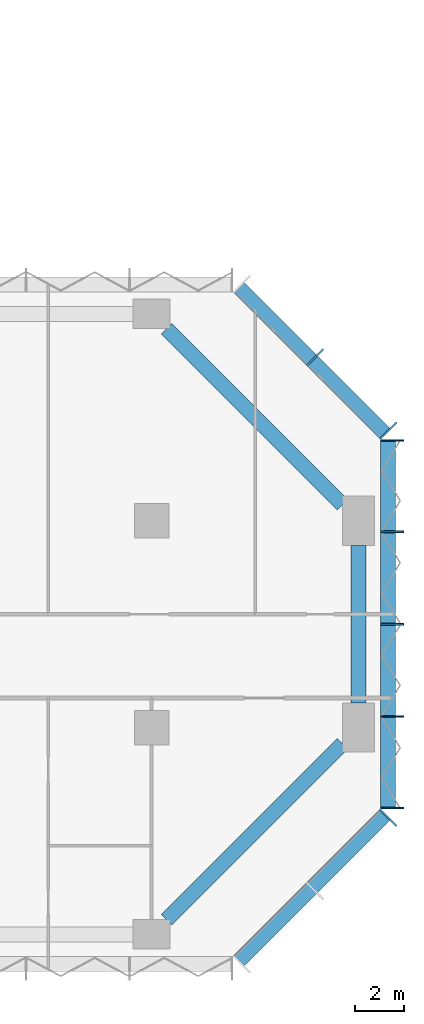
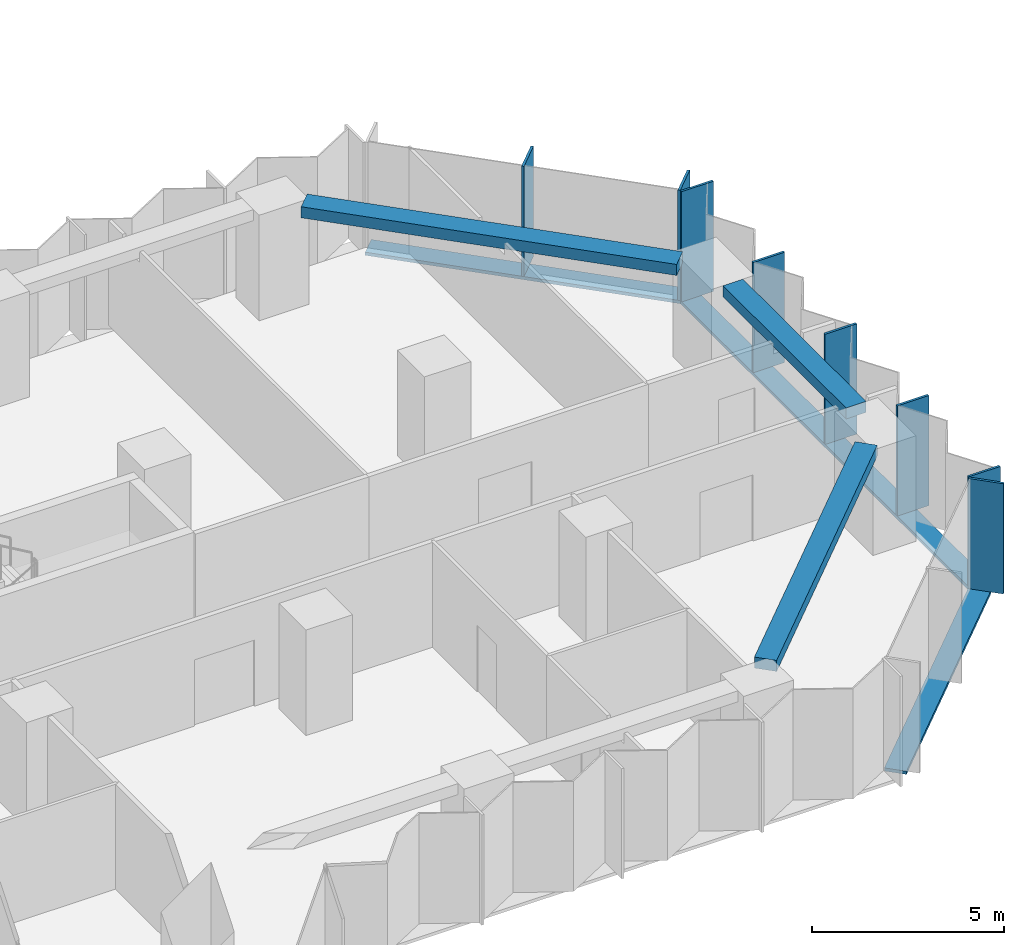
# One storey, part 4 of 15: 11 members, 3 beams, 3 elements without a shape of their own.
"""IFC4 building model written with IfcOpenShell, lengths in metres."""

from ifc_helpers import new_model, si_unit, direction, frame, origin, origin_2d, place, context, subcontext, project, spatial, rectangle, extrude, material, material_profile, profile_set, type_object, element, aggregate, save


model = new_model("IFC4")

# Units and contexts
model_context = context("Model", 3, precision=1e-05, world=origin(), true_north=direction((0.0, 1.0)))
body_context = subcontext(model_context, "Body", "Model", "MODEL_VIEW")
ifc_project = project(units=[si_unit("LENGTHUNIT", "METRE"), si_unit("AREAUNIT", "SQUARE_METRE"), si_unit("VOLUMEUNIT", "CUBIC_METRE"), si_unit("PLANEANGLEUNIT", "RADIAN"), si_unit("MASSUNIT", "GRAM", prefix="KILO")], contexts=[model_context])

# Site, building, storey
site_placement = place(None, origin())
site = spatial("IfcSite", under=ifc_project, at=site_placement, CompositionType="ELEMENT")
building_placement = place(site_placement, origin())
building = spatial("IfcBuilding", under=site, at=building_placement, Name="Brevane Broadcast Tower", CompositionType="ELEMENT")
storey_placement = place(building_placement, frame((0.0, 0.0, 50.89990234375)))
storey = spatial("IfcBuildingStorey", under=building, at=storey_placement, Name="L10", CompositionType="ELEMENT", Elevation=50.89990234375)

# Curtain wall, member
ifc_material_1 = material(Name="Aluminium 6063-T6 bronze anodised", Category="aluminium")
curtain_wall_type = type_object("IfcCurtainWallType", Name="CW-1 curtain wall", PredefinedType="NOTDEFINED", material=ifc_material_1)
curtain_wall_1_placement = place(storey_placement, origin())
curtain_wall_1 = element("IfcCurtainWall", 1, at=curtain_wall_1_placement, inside=storey, type_object=curtain_wall_type, Name="CW-1 typical tilted unit L10 south-east chamfer", PredefinedType="NOTDEFINED")
ifc_material_profile_1 = material_profile(ifc_material_1, rectangle(XDim=0.949951171875, YDim=0.070068359375, at=origin_2d()), Name="RECT 70x950")
ifc_profile_set_1 = profile_set([ifc_material_profile_1], Name="Aluminium 6063-T6 bronze anodised")
member_type_1 = type_object("IfcMemberType", Name="CW-1 mullion 70x950", PredefinedType="MULLION", material=ifc_profile_set_1)
member_1_placement = place(storey_placement, frame((68.4111328125, 4.7392578125, -0.14990234375), z_axis=(0.0, 0.0, 1.0), x_axis=(-0.707106781187, 0.707106781187, 0.0)))
member_1 = element("IfcMember", 2, at=member_1_placement, type_object=member_type_1, Name="CW-1 mullion", PredefinedType="MULLION", context=body_context, shape_type="SweptSolid", body=[
    extrude(rectangle(XDim=0.949951171875, YDim=0.070068359375, at=origin_2d()), origin(), (0.0, 0.0, 1.0), 3.5),
])

# Curtain wall, members
curtain_wall_2_placement = place(storey_placement, origin())
curtain_wall_2 = element("IfcCurtainWall", 3, at=curtain_wall_2_placement, inside=storey, type_object=curtain_wall_type, Name="CW-1 typical tilted unit L10 east end", PredefinedType="NOTDEFINED")
member_2_placement = place(storey_placement, frame((68.574951171875, 5.135009765625, -0.14990234375), z_axis=(0.0, 0.0, 1.0), x_axis=(-1.0, 0.0, 0.0)))
member_2 = element("IfcMember", 4, at=member_2_placement, type_object=member_type_1, Name="CW-1 mullion", PredefinedType="MULLION", context=body_context, shape_type="SweptSolid", body=[
    extrude(rectangle(XDim=0.949951171875, YDim=0.070068359375, at=origin_2d()), origin(), (0.0, 0.0, 1.0), 3.5),
])
member_3_placement = place(storey_placement, frame((68.574951171875, 8.85009765625, -0.14990234375), z_axis=(0.0, 0.0, 1.0), x_axis=(-1.0, 0.0, 0.0)))
member_3 = element("IfcMember", 5, at=member_3_placement, type_object=member_type_1, Name="CW-1 mullion", PredefinedType="MULLION", context=body_context, shape_type="SweptSolid", body=[
    extrude(rectangle(XDim=0.949951171875, YDim=0.070068359375, at=origin_2d()), origin(), (0.0, 0.0, 1.0), 3.5),
])
member_4_placement = place(storey_placement, frame((68.574951171875, 12.60009765625, -0.14990234375), z_axis=(0.0, 0.0, 1.0), x_axis=(-1.0, 0.0, 0.0)))
member_4 = element("IfcMember", 6, at=member_4_placement, type_object=member_type_1, Name="CW-1 mullion", PredefinedType="MULLION", context=body_context, shape_type="SweptSolid", body=[
    extrude(rectangle(XDim=0.949951171875, YDim=0.070068359375, at=origin_2d()), origin(), (0.0, 0.0, 1.0), 3.5),
])
member_5_placement = place(storey_placement, frame((68.574951171875, 16.35009765625, -0.14990234375), z_axis=(0.0, 0.0, 1.0), x_axis=(-1.0, 0.0, 0.0)))
member_5 = element("IfcMember", 7, at=member_5_placement, type_object=member_type_1, Name="CW-1 mullion", PredefinedType="MULLION", context=body_context, shape_type="SweptSolid", body=[
    extrude(rectangle(XDim=0.949951171875, YDim=0.070068359375, at=origin_2d()), origin(), (0.0, 0.0, 1.0), 3.5),
])
member_6_placement = place(storey_placement, frame((68.574951171875, 20.06494140625, -0.14990234375), z_axis=(0.0, 0.0, 1.0), x_axis=(-1.0, 0.0, 0.0)))
member_6 = element("IfcMember", 8, at=member_6_placement, type_object=member_type_1, Name="CW-1 mullion", PredefinedType="MULLION", context=body_context, shape_type="SweptSolid", body=[
    extrude(rectangle(XDim=0.949951171875, YDim=0.070068359375, at=origin_2d()), origin(), (0.0, 0.0, 1.0), 3.5),
])

curtain_wall_3_placement = place(storey_placement, origin())
curtain_wall_3 = element("IfcCurtainWall", 9, at=curtain_wall_3_placement, inside=storey, type_object=curtain_wall_type, Name="CW-1 typical tilted unit L10 north-east chamfer", PredefinedType="NOTDEFINED")
member_7_placement = place(storey_placement, frame((68.4111328125, 20.460693359375, -0.14990234375), z_axis=(0.0, 0.0, 1.0), x_axis=(-0.707106781187, -0.707106781187, 0.0)))
member_7 = element("IfcMember", 10, at=member_7_placement, type_object=member_type_1, Name="CW-1 mullion", PredefinedType="MULLION", context=body_context, shape_type="SweptSolid", body=[
    extrude(rectangle(XDim=0.949951171875, YDim=0.070068359375, at=origin_2d()), origin(), (0.0, 0.0, 1.0), 3.5),
])
member_8_placement = place(storey_placement, frame((65.435791015625, 23.435791015625, -0.14990234375), z_axis=(0.0, 0.0, 1.0), x_axis=(-0.707106781187, -0.707106781187, 0.0)))
member_8 = element("IfcMember", 11, at=member_8_placement, type_object=member_type_1, Name="CW-1 mullion", PredefinedType="MULLION", context=body_context, shape_type="SweptSolid", body=[
    extrude(rectangle(XDim=0.949951171875, YDim=0.070068359375, at=origin_2d()), origin(), (0.0, 0.0, 1.0), 3.5),
])

# Member
ifc_material_profile_2 = material_profile(ifc_material_1, rectangle(XDim=0.60009765625, YDim=0.10009765625, at=origin_2d()), Name="RECT 100x600")
ifc_profile_set_2 = profile_set([ifc_material_profile_2], Name="Aluminium 6063-T6 bronze anodised")
member_type_2 = type_object("IfcMemberType", Name="CW-1 transom 100x600", PredefinedType="USERDEFINED", material=ifc_profile_set_2)
member_9_placement = place(storey_placement, frame((62.31201171875, -1.112060546875, -0.199951171875), z_axis=(0.707106781187, 0.707106781187, 0.0), x_axis=(-0.707106781187, 0.707106781187, 0.0)))
member_9 = element("IfcMember", 12, at=member_9_placement, type_object=member_type_2, Name="CW-1 transom", ObjectType="TRANSOM", PredefinedType="USERDEFINED", context=body_context, shape_type="SweptSolid", body=[
    extrude(rectangle(XDim=0.60009765625, YDim=0.10009765625, at=origin_2d()), origin(), (0.0, 0.0, 1.0), 8.4853515625),
])

aggregate(curtain_wall_1, [member_1, member_9])

member_10_placement = place(storey_placement, frame((68.39990234375, 5.10009765625, -0.199951171875), z_axis=(0.0, 1.0, 0.0), x_axis=(-1.0, 0.0, 0.0)))
member_10 = element("IfcMember", 13, at=member_10_placement, type_object=member_type_2, Name="CW-1 transom", ObjectType="TRANSOM", PredefinedType="USERDEFINED", context=body_context, shape_type="SweptSolid", body=[
    extrude(rectangle(XDim=0.60009765625, YDim=0.10009765625, at=origin_2d()), origin(), (0.0, 0.0, 1.0), 15.0),
])

aggregate(curtain_wall_2, [member_2, member_3, member_4, member_5, member_6, member_10])

member_11_placement = place(storey_placement, frame((68.31201171875, 20.31201171875, -0.199951171875), z_axis=(-0.707106781187, 0.707106781187, 0.0), x_axis=(-0.707106781187, -0.707106781187, 0.0)))
member_11 = element("IfcMember", 14, at=member_11_placement, type_object=member_type_2, Name="CW-1 transom", ObjectType="TRANSOM", PredefinedType="USERDEFINED", context=body_context, shape_type="SweptSolid", body=[
    extrude(rectangle(XDim=0.60009765625, YDim=0.10009765625, at=origin_2d()), origin(), (0.0, 0.0, 1.0), 8.4853515625),
])

aggregate(curtain_wall_3, [member_7, member_8, member_11])

# Beams
ifc_material_2 = material(Name="Concrete C40/50", Category="concrete")
ifc_material_profile_3 = material_profile(ifc_material_2, rectangle(XDim=0.60009765625, YDim=0.35009765625, at=origin_2d()), Name="RC 600x350")
ifc_profile_set_3 = profile_set([ifc_material_profile_3], Name="Concrete C40/50")
beam_type = type_object("IfcBeamType", Name="RC SPANDREL BEAM 600x350 C40/50", PredefinedType="SPANDREL", material=ifc_profile_set_3)
beam_1_placement = place(storey_placement, frame((59.39990234375, 0.60009765625, 3.175048828125), z_axis=(0.707118853314, 0.707094708853, 0.0), x_axis=(-0.707094708853, 0.707118853314, 0.0)))
element("IfcBeam", 15, at=beam_1_placement, inside=storey, type_object=beam_type, Name="EB1 L10-5", PredefinedType="SPANDREL", context=body_context, shape_type="SweptSolid", body=[
    extrude(rectangle(XDim=0.60009765625, YDim=0.35009765625, at=origin_2d()), origin(), (0.0, 0.0, 1.0), 10.111572265625),
])
beam_2_placement = place(storey_placement, frame((67.199951171875, 9.39990234375, 3.175048828125), z_axis=(0.0, 1.0, 0.0), x_axis=(-1.0, 0.0, 0.0)))
element("IfcBeam", 16, at=beam_2_placement, inside=storey, type_object=beam_type, Name="EB1 L10-6", PredefinedType="SPANDREL", context=body_context, shape_type="SweptSolid", body=[
    extrude(rectangle(XDim=0.60009765625, YDim=0.35009765625, at=origin_2d()), origin(), (0.0, 0.0, 1.0), 6.400146484375),
])
beam_3_placement = place(storey_placement, frame((66.550048828125, 17.449951171875, 3.175048828125), z_axis=(-0.707106781187, 0.707106781187, 0.0), x_axis=(-0.707106781187, -0.707106781187, 0.0)))
element("IfcBeam", 17, at=beam_3_placement, inside=storey, type_object=beam_type, Name="EB1 L10-7", PredefinedType="SPANDREL", context=body_context, shape_type="SweptSolid", body=[
    extrude(rectangle(XDim=0.60009765625, YDim=0.35009765625, at=origin_2d()), origin(), (0.0, 0.0, 1.0), 10.11181640625),
])

save(model, "model.ifc")
